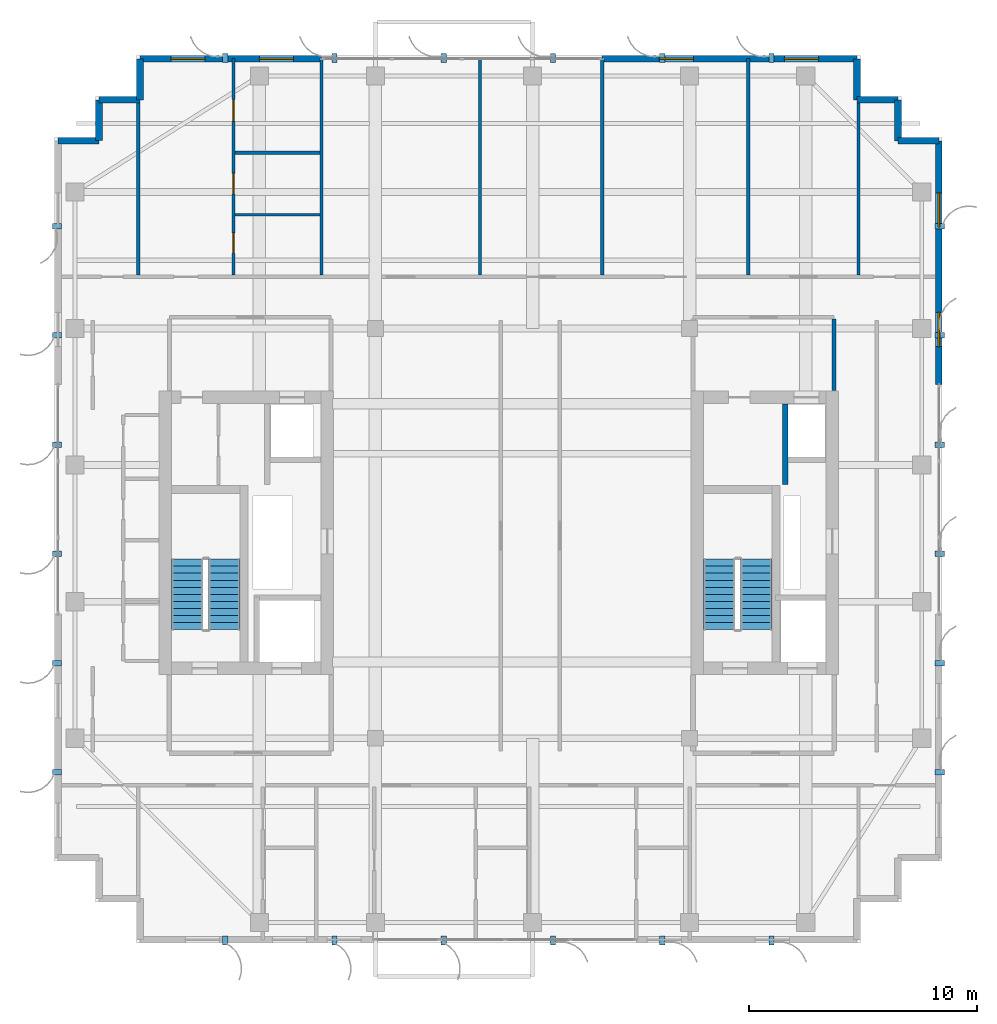
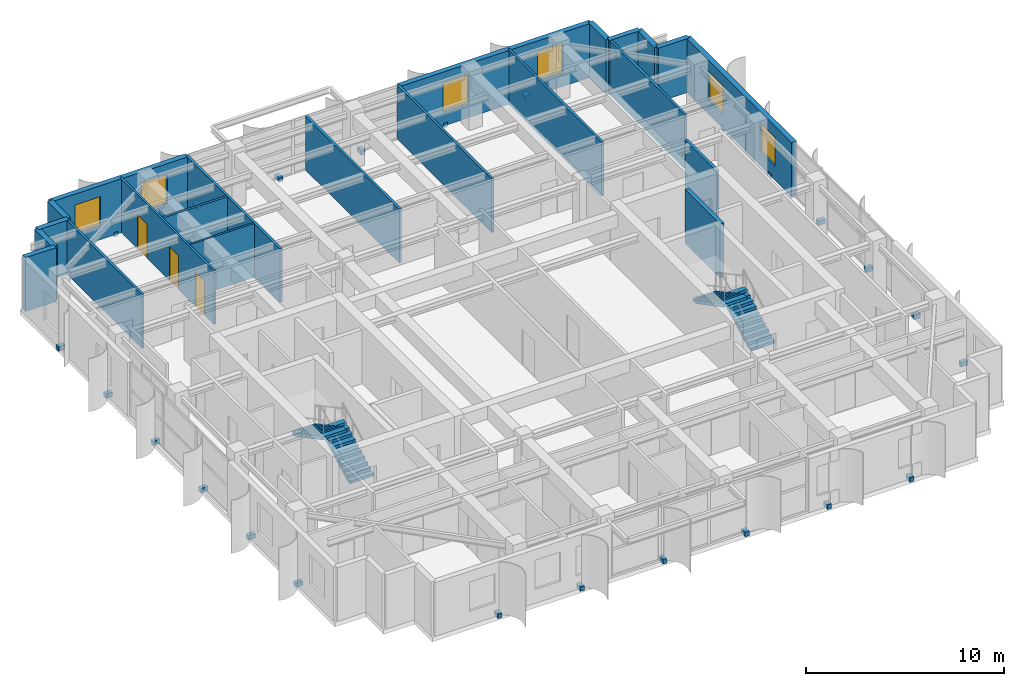
# One storey, part 21 of 23: 24 discrete accessories, 22 walls, 6 windows, 4 stair flights, 3 doors, 9 openings, 2 elements without a shape of their own.
"""IFC4 building model written with IfcOpenShell, lengths in metres."""

from ifc_helpers import new_model, si_unit, direction, frame, frame_2d, origin, origin_2d, place, context, subcontext, project, spatial, polyline, rectangle, outline, extrude, source, transform, mapped, material, layer, layer_set, type_object, element, fill, aggregate, save


model = new_model("IFC4")

# Units and contexts
model_context = context("Model", 3, precision=1e-05, world=origin(), true_north=direction((0.0, 1.0)))
body_context = subcontext(model_context, "Body", "Model", "MODEL_VIEW")
ifc_project = project(units=[si_unit("LENGTHUNIT", "METRE"), si_unit("AREAUNIT", "SQUARE_METRE"), si_unit("VOLUMEUNIT", "CUBIC_METRE"), si_unit("PLANEANGLEUNIT", "RADIAN"), si_unit("MASSUNIT", "GRAM", prefix="KILO")], contexts=[model_context])

# Site, building, storey
site_placement = place(None, origin())
site = spatial("IfcSite", under=ifc_project, at=site_placement, CompositionType="ELEMENT")
building_placement = place(site_placement, origin())
building = spatial("IfcBuilding", under=site, at=building_placement, Name="Khoralis Quay Care Tower", CompositionType="ELEMENT")
storey_placement = place(building_placement, frame((0.0, 0.0, 270.89990234375)))
storey = spatial("IfcBuildingStorey", under=building, at=storey_placement, Name="L71", CompositionType="ELEMENT", Elevation=270.89990234375)

# Wall
ifc_material_1 = material(Name="Gypsum plasterboard on acoustic metal stud")
ifc_layer_1 = layer(ifc_material_1, 0.1650390625)
ifc_layer_set_1 = layer_set([ifc_layer_1], Name="Gypsum plasterboard on acoustic metal stud")
wall_type_1 = type_object("IfcWallType", Name="WL-CORR-165", PredefinedType="PARTITIONING", material=ifc_layer_set_1)
wall_1_placement = place(storey_placement, frame((37.25, 27.27001953125, 0.0), z_axis=(0.0, 0.0, 1.0), x_axis=(0.0, 1.0, 0.0)))
element("IfcWall", 1, at=wall_1_placement, inside=storey, type_object=wall_type_1, Name="L71 East Lift Lobby East Wall", PredefinedType="PARTITIONING", context=body_context, shape_type="SweptSolid", body=[
    extrude(rectangle(XDim=3.152587890625, YDim=0.1650390625, at=frame_2d((1.576171875, 0.0))), origin(), (0.0, 0.0, 1.0), 3.320068359375),
])

# Wall, openings, windows
ifc_material_2 = material(Name="Precast concrete C45/55", Category="concrete")
ifc_layer_2 = layer(ifc_material_2, 0.300048828125)
ifc_layer_set_2 = layer_set([ifc_layer_2], Name="Precast concrete C45/55")
wall_type_2 = type_object("IfcWallType", Name="WL-EXT-REF-300", PredefinedType="SOLIDWALL", material=ifc_layer_set_2)
wall_2_placement = place(storey_placement, frame((41.85009765625, 27.5400390625, 0.0), z_axis=(0.0, 0.0, 1.0), x_axis=(0.0, 1.0, 0.0)))
wall_2 = element("IfcWall", 2, at=wall_2_placement, inside=storey, type_object=wall_type_2, Name="L71 External Facade Wall WL-EXT-L71-P1-E5B", PredefinedType="SOLIDWALL", context=body_context, shape_type="SweptSolid", body=[
    extrude(rectangle(XDim=10.7099609375, YDim=0.300048828125, at=frame_2d((5.35498046875, 0.0))), origin(), (0.0, 0.0, 1.0), 3.320068359375),
])
opening_1_placement = place(wall_2_placement, frame((1.669921875, 0.0, 0.85009765625)))
opening_1 = element("IfcOpeningElement", 3, at=opening_1_placement, cuts=wall_2, Name="Opening W3", PredefinedType="OPENING", context=body_context, shape_type="SweptSolid", body=[
    extrude(rectangle(XDim=1.5, YDim=1.800048828125, at=frame_2d((0.75, 0.89990234375))), frame((0.0, 0.16015625, 0.0), z_axis=(0.0, -1.0, 0.0), x_axis=(1.0, 0.0, 0.0)), (0.0, 0.0, 1.0), 0.320068359375),
])
opening_2_placement = place(wall_2_placement, frame((6.925048828125, 0.0, 0.85009765625)))
opening_2 = element("IfcOpeningElement", 4, at=opening_2_placement, cuts=wall_2, Name="Opening W3", PredefinedType="OPENING", context=body_context, shape_type="SweptSolid", body=[
    extrude(rectangle(XDim=1.5, YDim=1.800048828125, at=frame_2d((0.75, 0.89990234375))), frame((0.0, 0.16015625, 0.0), z_axis=(0.0, -1.0, 0.0), x_axis=(1.0, 0.0, 0.0)), (0.0, 0.0, 1.0), 0.320068359375),
])
ifc_material_3 = material(Name="Low-E solar-control double glazing", Category="glass")
window_type = type_object("IfcWindowType", Name="WN-CLIN-1500X1800", PartitioningType="SINGLE_PANEL", PredefinedType="WINDOW", material=ifc_material_3)
shared_shape_1 = source(origin(), body_context, "Body", "SweptSolid", [
    extrude(rectangle(XDim=1.5, YDim=1.800048828125, at=frame_2d((0.75, 0.89990234375))), frame((0.0, 0.030029296875, 0.0), z_axis=(0.0, -1.0, 0.0), x_axis=(1.0, 0.0, 0.0)), (0.0, 0.0, 1.0), 0.06005859375),
])
window_1_placement = place(opening_1_placement, origin())
window_1 = element("IfcWindow", 5, at=window_1_placement, inside=storey, type_object=window_type, Name="WN-L71-P1-E5B Facade Window 01", OverallHeight=1.800048828125, OverallWidth=1.5, PartitioningType="SINGLE_PANEL", PredefinedType="WINDOW", context=body_context, shape_type="MappedRepresentation", body=[
    mapped(shared_shape_1, transform((0.0, 0.0, 0.0), scale=1.0)),
])
fill(opening_1, window_1)
window_2_placement = place(opening_2_placement, origin())
window_2 = element("IfcWindow", 6, at=window_2_placement, inside=storey, type_object=window_type, Name="WN-L71-P1-E5B Facade Window 02", OverallHeight=1.800048828125, OverallWidth=1.5, PartitioningType="SINGLE_PANEL", PredefinedType="WINDOW", context=body_context, shape_type="MappedRepresentation", body=[
    mapped(shared_shape_1, transform((0.0, 0.0, 0.0), scale=1.0)),
])
fill(opening_2, window_2)

# Walls
for number, where, z_axis, x_axis, name in (
    (7, (41.85009765625, 38.25, 0.0), (0.0, 0.0, 1.0), (-1.0, 0.0, 0.0), "L71 External Facade Wall WL-EXT-L71-P1-C6"),
    (8, (40.050048828125, 38.25, 0.0), (0.0, 0.0, 1.0), (0.0, 1.0, 0.0), "L71 External Facade Wall WL-EXT-L71-P1-C7"),
    (9, (40.050048828125, 40.050048828125, 0.0), (0.0, 0.0, 1.0), (-1.0, 0.0, 0.0), "L71 External Facade Wall WL-EXT-L71-P1-C8"),
    (10, (38.25, 40.050048828125, 0.0), (0.0, 0.0, 1.0), (0.0, 1.0, 0.0), "L71 External Facade Wall WL-EXT-L71-P1-C9"),
):
    element("IfcWall", number, at=place(storey_placement, frame(where, z_axis=z_axis, x_axis=x_axis)), inside=storey, type_object=wall_type_2, Name=name, PredefinedType="SOLIDWALL", context=body_context, shape_type="SweptSolid", body=[
        extrude(rectangle(XDim=1.800048828125, YDim=0.300048828125, at=frame_2d((0.89990234375, 0.0))), origin(), (0.0, 0.0, 1.0), 3.320068359375),
    ])

# Wall, openings, windows
wall_3_placement = place(storey_placement, frame((38.25, 41.85009765625, 0.0), z_axis=(0.0, 0.0, 1.0), x_axis=(-1.0, 0.0, 0.0)))
wall_3 = element("IfcWall", 11, at=wall_3_placement, inside=storey, type_object=wall_type_2, Name="L71 External Facade Wall WL-EXT-L71-P1-E10A", PredefinedType="SOLIDWALL", context=body_context, shape_type="SweptSolid", body=[
    extrude(rectangle(XDim=11.18994140625, YDim=0.300048828125, at=frame_2d((5.594970703125, 0.0))), origin(), (0.0, 0.0, 1.0), 3.320068359375),
])
opening_3_placement = place(wall_3_placement, frame((1.68505859375, 0.0, 0.85009765625)))
opening_3 = element("IfcOpeningElement", 12, at=opening_3_placement, cuts=wall_3, Name="Opening W3", PredefinedType="OPENING", context=body_context, shape_type="SweptSolid", body=[
    extrude(rectangle(XDim=1.5, YDim=1.800048828125, at=frame_2d((0.75, 0.89990234375))), frame((0.0, 0.16015625, 0.0), z_axis=(0.0, -1.0, 0.0), x_axis=(1.0, 0.0, 0.0)), (0.0, 0.0, 1.0), 0.320068359375),
])
opening_4_placement = place(wall_3_placement, frame((7.179931640625, 0.0, 0.85009765625)))
opening_4 = element("IfcOpeningElement", 13, at=opening_4_placement, cuts=wall_3, Name="Opening W3", PredefinedType="OPENING", context=body_context, shape_type="SweptSolid", body=[
    extrude(rectangle(XDim=1.5, YDim=1.800048828125, at=frame_2d((0.75, 0.89990234375))), frame((0.0, 0.16015625, 0.0), z_axis=(0.0, -1.0, 0.0), x_axis=(1.0, 0.0, 0.0)), (0.0, 0.0, 1.0), 0.320068359375),
])
window_3_placement = place(opening_3_placement, origin())
window_3 = element("IfcWindow", 14, at=window_3_placement, inside=storey, type_object=window_type, Name="WN-L71-P1-E10A Facade Window 01", OverallHeight=1.800048828125, OverallWidth=1.5, PartitioningType="SINGLE_PANEL", PredefinedType="WINDOW", context=body_context, shape_type="MappedRepresentation", body=[
    mapped(shared_shape_1, transform((0.0, 0.0, 0.0), scale=1.0)),
])
fill(opening_3, window_3)
window_4_placement = place(opening_4_placement, origin())
window_4 = element("IfcWindow", 15, at=window_4_placement, inside=storey, type_object=window_type, Name="WN-L71-P1-E10A Facade Window 02", OverallHeight=1.800048828125, OverallWidth=1.5, PartitioningType="SINGLE_PANEL", PredefinedType="WINDOW", context=body_context, shape_type="MappedRepresentation", body=[
    mapped(shared_shape_1, transform((0.0, 0.0, 0.0), scale=1.0)),
])
fill(opening_4, window_4)

wall_4_placement = place(storey_placement, frame((14.72998046875, 41.85009765625, 0.0), z_axis=(0.0, 0.0, 1.0), x_axis=(-1.0, 0.0, 0.0)))
wall_4 = element("IfcWall", 16, at=wall_4_placement, inside=storey, type_object=wall_type_2, Name="L71 External Facade Wall WL-EXT-L71-P1-E10B", PredefinedType="SOLIDWALL", context=body_context, shape_type="SweptSolid", body=[
    extrude(rectangle(XDim=7.97998046875, YDim=0.300048828125, at=frame_2d((3.989990234375, 0.0))), origin(), (0.0, 0.0, 1.0), 3.320068359375),
])
opening_5_placement = place(wall_4_placement, frame((1.23193359375, 0.0, 0.85009765625)))
opening_5 = element("IfcOpeningElement", 17, at=opening_5_placement, cuts=wall_4, Name="Opening W3", PredefinedType="OPENING", context=body_context, shape_type="SweptSolid", body=[
    extrude(rectangle(XDim=1.5, YDim=1.800048828125, at=frame_2d((0.75, 0.89990234375))), frame((0.0, 0.16015625, 0.0), z_axis=(0.0, -1.0, 0.0), x_axis=(1.0, 0.0, 0.0)), (0.0, 0.0, 1.0), 0.320068359375),
])
opening_6_placement = place(wall_4_placement, frame((5.1220703125, 0.0, 0.85009765625)))
opening_6 = element("IfcOpeningElement", 18, at=opening_6_placement, cuts=wall_4, Name="Opening W3", PredefinedType="OPENING", context=body_context, shape_type="SweptSolid", body=[
    extrude(rectangle(XDim=1.5, YDim=1.800048828125, at=frame_2d((0.75, 0.89990234375))), frame((0.0, 0.16015625, 0.0), z_axis=(0.0, -1.0, 0.0), x_axis=(1.0, 0.0, 0.0)), (0.0, 0.0, 1.0), 0.320068359375),
])
window_5_placement = place(opening_5_placement, origin())
window_5 = element("IfcWindow", 19, at=window_5_placement, inside=storey, type_object=window_type, Name="WN-L71-P1-E10B Facade Window 01", OverallHeight=1.800048828125, OverallWidth=1.5, PartitioningType="SINGLE_PANEL", PredefinedType="WINDOW", context=body_context, shape_type="MappedRepresentation", body=[
    mapped(shared_shape_1, transform((0.0, 0.0, 0.0), scale=1.0)),
])
fill(opening_5, window_5)
window_6_placement = place(opening_6_placement, origin())
window_6 = element("IfcWindow", 20, at=window_6_placement, inside=storey, type_object=window_type, Name="WN-L71-P1-E10B Facade Window 02", OverallHeight=1.800048828125, OverallWidth=1.5, PartitioningType="SINGLE_PANEL", PredefinedType="WINDOW", context=body_context, shape_type="MappedRepresentation", body=[
    mapped(shared_shape_1, transform((0.0, 0.0, 0.0), scale=1.0)),
])
fill(opening_6, window_6)

# Walls
for number, where, z_axis, x_axis, name in (
    (21, (6.75, 41.85009765625, 0.0), (0.0, 0.0, 1.0), (0.0, -1.0, 0.0), "L71 External Facade Wall WL-EXT-L71-P1-C11"),
    (22, (6.75, 40.050048828125, 0.0), (0.0, 0.0, 1.0), (-1.0, 0.0, 0.0), "L71 External Facade Wall WL-EXT-L71-P1-C12"),
    (23, (4.949951171875, 40.050048828125, 0.0), (0.0, 0.0, 1.0), (0.0, -1.0, 0.0), "L71 External Facade Wall WL-EXT-L71-P1-C13"),
    (24, (4.949951171875, 38.25, 0.0), (0.0, 0.0, 1.0), (-1.0, 0.0, 0.0), "L71 External Facade Wall WL-EXT-L71-P1-C14"),
):
    element("IfcWall", number, at=place(storey_placement, frame(where, z_axis=z_axis, x_axis=x_axis)), inside=storey, type_object=wall_type_2, Name=name, PredefinedType="SOLIDWALL", context=body_context, shape_type="SweptSolid", body=[
        extrude(rectangle(XDim=1.800048828125, YDim=0.300048828125, at=frame_2d((0.89990234375, 0.0))), origin(), (0.0, 0.0, 1.0), 3.320068359375),
    ])

# Wall, openings, doors
ifc_layer_3 = layer(ifc_material_1, 0.114990234375)
ifc_layer_set_3 = layer_set([ifc_layer_3], Name="Gypsum plasterboard on acoustic metal stud")
wall_type_3 = type_object("IfcWallType", Name="WL-PART-115", PredefinedType="PARTITIONING", material=ifc_layer_set_3)
wall_5_placement = place(storey_placement, frame((10.865966796875, 32.357421875, 0.0), z_axis=(0.0, 0.0, 1.0), x_axis=(0.0, 1.0, 0.0)))
wall_5 = element("IfcWall", 25, at=wall_5_placement, inside=storey, type_object=wall_type_3, Name="L71 Unit 0 Internal Wall", PredefinedType="PARTITIONING", context=body_context, shape_type="SweptSolid", body=[
    extrude(rectangle(XDim=9.49755859375, YDim=0.114990234375, at=frame_2d((4.748779296875, 0.0))), origin(), (0.0, 0.0, 1.0), 3.320068359375),
])
opening_7_placement = place(wall_5_placement, frame((6.75390625, 0.0, 0.0)))
opening_7 = element("IfcOpeningElement", 26, at=opening_7_placement, cuts=wall_5, Name="Opening ID1", PredefinedType="OPENING", context=body_context, shape_type="SweptSolid", body=[
    extrude(rectangle(XDim=0.949951171875, YDim=2.10009765625, at=frame_2d((0.47509765625, 1.050048828125))), frame((0.0, 0.0673828125, 0.0), z_axis=(0.0, -1.0, 0.0), x_axis=(1.0, 0.0, 0.0)), (0.0, 0.0, 1.0), 0.135009765625),
])
opening_8_placement = place(wall_5_placement, frame((3.554931640625, 0.0, 0.0)))
opening_8 = element("IfcOpeningElement", 27, at=opening_8_placement, cuts=wall_5, Name="Opening WD1", PredefinedType="OPENING", context=body_context, shape_type="SweptSolid", body=[
    extrude(rectangle(XDim=0.89990234375, YDim=2.10009765625, at=frame_2d((0.449951171875, 1.050048828125))), frame((0.0, 0.0673828125, 0.0), z_axis=(0.0, -1.0, 0.0), x_axis=(1.0, 0.0, 0.0)), (0.0, 0.0, 1.0), 0.135009765625),
])
opening_9_placement = place(wall_5_placement, frame((0.948486328125, 0.0, 0.0)))
opening_9 = element("IfcOpeningElement", 28, at=opening_9_placement, cuts=wall_5, Name="Opening WD1", PredefinedType="OPENING", context=body_context, shape_type="SweptSolid", body=[
    extrude(rectangle(XDim=0.89990234375, YDim=2.10009765625, at=frame_2d((0.449951171875, 1.050048828125))), frame((0.0, 0.0673828125, 0.0), z_axis=(0.0, -1.0, 0.0), x_axis=(1.0, 0.0, 0.0)), (0.0, 0.0, 1.0), 0.135009765625),
])
ifc_material_4 = material(Name="Acoustic hardwood timber", Category="wood")
door_type_1 = type_object("IfcDoorType", Name="DR-BATH-900X2100", OperationType="NOTDEFINED", PredefinedType="DOOR", material=ifc_material_4)
shared_shape_2 = source(origin(), body_context, "Body", "SweptSolid", [
    extrude(rectangle(XDim=0.89990234375, YDim=2.10009765625, at=frame_2d((0.449951171875, 1.050048828125))), frame((0.0, 0.02490234375, 0.0), z_axis=(0.0, -1.0, 0.0), x_axis=(1.0, 0.0, 0.0)), (0.0, 0.0, 1.0), 0.050048828125),
])
door_1_placement = place(opening_8_placement, frame((0.89990234375, 0.0, 0.0), z_axis=(0.0, 0.0, 1.0), x_axis=(-1.0, 0.0, 0.0)))
door_1 = element("IfcDoor", 29, at=door_1_placement, inside=storey, type_object=door_type_1, Name="L71 Apartment NB0 KIT Door", OperationType="SINGLE_SWING_LEFT", OverallHeight=2.10009765625, OverallWidth=0.89990234375, PredefinedType="DOOR", context=body_context, shape_type="MappedRepresentation", body=[
    mapped(shared_shape_2, transform((0.0, 0.0, 0.0), scale=1.0)),
])
fill(opening_8, door_1)
door_2_placement = place(opening_9_placement, frame((0.89990234375, 0.0, 0.0), z_axis=(0.0, 0.0, 1.0), x_axis=(-1.0, 0.0, 0.0)))
door_2 = element("IfcDoor", 30, at=door_2_placement, inside=storey, type_object=door_type_1, Name="L71 Apartment NB0 BTH Door", OperationType="SINGLE_SWING_RIGHT", OverallHeight=2.10009765625, OverallWidth=0.89990234375, PredefinedType="DOOR", context=body_context, shape_type="MappedRepresentation", body=[
    mapped(shared_shape_2, transform((0.0, 0.0, 0.0), scale=1.0)),
])
fill(opening_9, door_2)
door_type_2 = type_object("IfcDoorType", Name="DR-ROOM-950X2100", OperationType="NOTDEFINED", PredefinedType="DOOR", material=ifc_material_4)
shared_shape_3 = source(origin(), body_context, "Body", "SweptSolid", [
    extrude(rectangle(XDim=0.949951171875, YDim=2.10009765625, at=frame_2d((0.47509765625, 1.050048828125))), frame((0.0, 0.02490234375, 0.0), z_axis=(0.0, -1.0, 0.0), x_axis=(1.0, 0.0, 0.0)), (0.0, 0.0, 1.0), 0.050048828125),
])
door_3_placement = place(opening_7_placement, frame((0.949951171875, 0.0, 0.0), z_axis=(0.0, 0.0, 1.0), x_axis=(-1.0, 0.0, 0.0)))
door_3 = element("IfcDoor", 31, at=door_3_placement, inside=storey, type_object=door_type_2, Name="L71 Apartment NB0 BED Door", OperationType="SINGLE_SWING_RIGHT", OverallHeight=2.10009765625, OverallWidth=0.949951171875, PredefinedType="DOOR", context=body_context, shape_type="MappedRepresentation", body=[
    mapped(shared_shape_3, transform((0.0, 0.0, 0.0), scale=1.0)),
])
fill(opening_7, door_3)

# Walls
wall_6_placement = place(storey_placement, frame((10.91845703125, 35.001953125, 0.0), z_axis=(0.0, 0.0, 1.0), x_axis=(1.0, 0.0, 0.0)))
element("IfcWall", 32, at=wall_6_placement, inside=storey, type_object=wall_type_3, Name="L71 Unit 0 Kitchen Wall", PredefinedType="PARTITIONING", context=body_context, shape_type="SweptSolid", body=[
    extrude(rectangle(XDim=3.74658203125, YDim=0.114990234375, at=frame_2d((1.873291015625, 0.0))), origin(), (0.0, 0.0, 1.0), 3.320068359375),
])
ifc_material_5 = material(Name="Moisture-resistant gypsum and ceramic tile")
ifc_layer_4 = layer(ifc_material_5, 0.280029296875)
ifc_layer_set_4 = layer_set([ifc_layer_4], Name="Moisture-resistant gypsum and ceramic tile")
wall_type_4 = type_object("IfcWallType", Name="WL-PLUMB-280", PredefinedType="PLUMBINGWALL", material=ifc_layer_set_4)
wall_7_placement = place(storey_placement, frame((10.91845703125, 37.722900390625, 0.0), z_axis=(0.0, 0.0, 1.0), x_axis=(1.0, 0.0, 0.0)))
element("IfcWall", 33, at=wall_7_placement, inside=storey, type_object=wall_type_4, Name="L71 Unit 0 Wet Wall", PredefinedType="PLUMBINGWALL", context=body_context, shape_type="SweptSolid", body=[
    extrude(rectangle(XDim=3.74658203125, YDim=0.139892578125, at=frame_2d((1.873291015625, 0.0))), origin(), (0.0, 0.0, 1.0), 3.320068359375),
])
ifc_layer_5 = layer(ifc_material_1, 0.239990234375)
ifc_layer_set_5 = layer_set([ifc_layer_5], Name="Gypsum plasterboard on acoustic metal stud")
wall_type_5 = type_object("IfcWallType", Name="WL-SHAFT-240", PredefinedType="PARTITIONING", material=ifc_layer_set_5)
wall_8_placement = place(storey_placement, frame((35.110107421875, 23.139892578125, 0.0), z_axis=(0.0, 0.0, 1.0), x_axis=(0.0, 1.0, 0.0)))
element("IfcWall", 34, at=wall_8_placement, inside=storey, type_object=wall_type_5, Name="L71 High-Rise Reclaimed Bay Wall East", PredefinedType="PARTITIONING", context=body_context, shape_type="SweptSolid", body=[
    extrude(rectangle(XDim=3.5400390625, YDim=0.239990234375, at=frame_2d((1.77001953125, 0.0))), origin(), (0.0, 0.0, 1.0), 3.320068359375),
])
ifc_layer_6 = layer(ifc_material_1, 0.139892578125)
ifc_layer_set_6 = layer_set([ifc_layer_6], Name="Gypsum plasterboard on acoustic metal stud")
wall_type_6 = type_object("IfcWallType", Name="WL-UNIT-140", PredefinedType="PARTITIONING", material=ifc_layer_set_6)
wall_9_placement = place(storey_placement, frame((6.679931640625, 32.357421875, 0.0), z_axis=(0.0, 0.0, 1.0), x_axis=(0.0, 1.0, 0.0)))
element("IfcWall", 35, at=wall_9_placement, inside=storey, type_object=wall_type_6, Name="L71 NB Demising Wall 0", PredefinedType="PARTITIONING", context=body_context, shape_type="SweptSolid", body=[
    extrude(rectangle(XDim=7.697509765625, YDim=0.139892578125, at=frame_2d((3.8486328125, 0.0))), origin(), (0.0, 0.0, 1.0), 3.320068359375),
])
for number, where, z_axis, x_axis, name in (
    (36, (14.72998046875, 32.357421875, 0.0), (0.0, 0.0, 1.0), (0.0, 1.0, 0.0), "L71 NB Demising Wall 1"),
    (37, (21.68994140625, 32.357421875, 0.0), (0.0, 0.0, 1.0), (0.0, 1.0, 0.0), "L71 NB Demising Wall 2"),
    (38, (27.06005859375, 32.357421875, 0.0), (0.0, 0.0, 1.0), (0.0, 1.0, 0.0), "L71 NB Demising Wall 3"),
    (39, (33.47998046875, 32.357421875, 0.0), (0.0, 0.0, 1.0), (0.0, 1.0, 0.0), "L71 NB Demising Wall 4"),
):
    element("IfcWall", number, at=place(storey_placement, frame(where, z_axis=z_axis, x_axis=x_axis)), inside=storey, type_object=wall_type_6, Name=name, PredefinedType="PARTITIONING", context=body_context, shape_type="SweptSolid", body=[
        extrude(rectangle(XDim=9.49755859375, YDim=0.139892578125, at=frame_2d((4.748779296875, 0.0))), origin(), (0.0, 0.0, 1.0), 3.320068359375),
    ])
wall_10_placement = place(storey_placement, frame((38.320068359375, 32.357421875, 0.0), z_axis=(0.0, 0.0, 1.0), x_axis=(0.0, 1.0, 0.0)))
element("IfcWall", 40, at=wall_10_placement, inside=storey, type_object=wall_type_6, Name="L71 NB Demising Wall 5", PredefinedType="PARTITIONING", context=body_context, shape_type="SweptSolid", body=[
    extrude(rectangle(XDim=7.697509765625, YDim=0.139892578125, at=frame_2d((3.8486328125, 0.0))), origin(), (0.0, 0.0, 1.0), 3.320068359375),
])

# Stair, stair flights
stair_type = type_object("IfcStairType", Name="ST-TWR-DOGLEG-1400", PredefinedType="HALF_TURN_STAIR", material=ifc_material_2)
stair_1_placement = place(storey_placement, origin())
stair_1 = element("IfcStair", 41, at=stair_1_placement, inside=storey, type_object=stair_type, Name="L71 West Core Exit Stair ST-T1", PredefinedType="HALF_TURN_STAIR")
stair_flight_type = type_object("IfcStairFlightType", Name="SF-TWR-1400", PredefinedType="STRAIGHT", material=ifc_material_2)
shared_shape_4 = source(origin(), body_context, "Body", "SweptSolid", [
    extrude(outline(polyline([(0.0, 0.0), (0.0, 0.16357421875), (0.31005859375, 0.16357421875), (0.31005859375, 0.327392578125), (0.6201171875, 0.327392578125), (0.6201171875, 0.490966796875), (0.929931640625, 0.490966796875), (0.929931640625, 0.654541015625), (1.239990234375, 0.654541015625), (1.239990234375, 0.818115234375), (1.550048828125, 0.818115234375), (1.550048828125, 0.98193359375), (1.860107421875, 0.98193359375), (1.860107421875, 1.1455078125), (2.169921875, 1.1455078125), (2.169921875, 1.30908203125), (2.47998046875, 1.30908203125), (2.47998046875, 1.47265625), (2.7900390625, 1.47265625), (2.7900390625, 1.636474609375), (3.10009765625, 1.636474609375), (3.10009765625, 1.800048828125), (3.10009765625, 1.466796875), (0.321044921875, 0.0), (0.0, 0.0)])), frame((0.0, 0.68994140625, 0.0), z_axis=(0.0, -1.0, 0.0), x_axis=(1.0, 0.0, 0.0)), (0.0, 0.0, 1.0), 1.3798828125),
])
stair_flight_1_placement = place(storey_placement, frame((10.4599609375, 16.77001953125, 0.0), z_axis=(0.0, 0.0, 1.0), x_axis=(0.0, 1.0, 0.0)))
stair_flight_1 = element("IfcStairFlight", 42, at=stair_flight_1_placement, type_object=stair_flight_type, Name="ST-T1 flight 1", NumberOfRisers=11, NumberOfTreads=10, PredefinedType="STRAIGHT", RiserHeight=0.163636364, TreadLength=0.31, context=body_context, shape_type="MappedRepresentation", body=[
    mapped(shared_shape_4, transform((0.0, 0.0, 0.0), scale=1.0)),
])
stair_flight_2_placement = place(storey_placement, frame((8.840087890625, 19.8701171875, 1.800048828125), z_axis=(0.0, 0.0, 1.0), x_axis=(0.0, -1.0, 0.0)))
stair_flight_2 = element("IfcStairFlight", 43, at=stair_flight_2_placement, type_object=stair_flight_type, Name="ST-T1 flight 2", NumberOfRisers=11, NumberOfTreads=10, PredefinedType="STRAIGHT", RiserHeight=0.163636364, TreadLength=0.31, context=body_context, shape_type="MappedRepresentation", body=[
    mapped(shared_shape_4, transform((0.0, 0.0, 0.0), scale=1.0)),
])
aggregate(stair_1, [stair_flight_1, stair_flight_2])

stair_2_placement = place(storey_placement, origin())
stair_2 = element("IfcStair", 44, at=stair_2_placement, inside=storey, type_object=stair_type, Name="L71 East Core Exit Stair ST-T2", PredefinedType="HALF_TURN_STAIR")
stair_flight_3_placement = place(storey_placement, frame((33.830078125, 16.77001953125, 0.0), z_axis=(0.0, 0.0, 1.0), x_axis=(0.0, 1.0, 0.0)))
stair_flight_3 = element("IfcStairFlight", 45, at=stair_flight_3_placement, type_object=stair_flight_type, Name="ST-T2 flight 1", NumberOfRisers=11, NumberOfTreads=10, PredefinedType="STRAIGHT", RiserHeight=0.163636364, TreadLength=0.31, context=body_context, shape_type="MappedRepresentation", body=[
    mapped(shared_shape_4, transform((0.0, 0.0, 0.0), scale=1.0)),
])
stair_flight_4_placement = place(storey_placement, frame((32.2099609375, 19.8701171875, 1.800048828125), z_axis=(0.0, 0.0, 1.0), x_axis=(0.0, -1.0, 0.0)))
stair_flight_4 = element("IfcStairFlight", 46, at=stair_flight_4_placement, type_object=stair_flight_type, Name="ST-T2 flight 2", NumberOfRisers=11, NumberOfTreads=10, PredefinedType="STRAIGHT", RiserHeight=0.163636364, TreadLength=0.31, context=body_context, shape_type="MappedRepresentation", body=[
    mapped(shared_shape_4, transform((0.0, 0.0, 0.0), scale=1.0)),
])
aggregate(stair_2, [stair_flight_3, stair_flight_4])

# Discrete accessories
ifc_material_6 = material(Name="Brushed stainless steel", Category="steel")
discrete_accessory_type = type_object("IfcDiscreteAccessoryType", Name="ACC-FIN-BRACKET", PredefinedType="BRACKET", material=ifc_material_6)
shared_shape_5 = source(origin(), body_context, "Body", "SweptSolid", [
    extrude(rectangle(XDim=0.39990234375, YDim=0.239990234375, at=origin_2d()), origin(), (0.0, 0.0, 1.0), 0.280029296875),
])
for number, where, z_axis, x_axis, name in (
    (47, (10.5, 3.110107421875, -0.1201171875), (0.0, 0.0, 1.0), (0.0, -1.0, 0.0), "L71 Solar Fin Bracket P1E0-01"),
    (48, (15.300048828125, 3.110107421875, -0.1201171875), (0.0, 0.0, 1.0), (0.0, -1.0, 0.0), "L71 Solar Fin Bracket P1E0-02"),
    (49, (20.10009765625, 3.110107421875, -0.1201171875), (0.0, 0.0, 1.0), (0.0, -1.0, 0.0), "L71 Solar Fin Bracket P1E0-03"),
    (50, (24.89990234375, 3.110107421875, -0.1201171875), (0.0, 0.0, 1.0), (0.0, -1.0, 0.0), "L71 Solar Fin Bracket P1E0-04"),
    (51, (29.699951171875, 3.110107421875, -0.1201171875), (0.0, 0.0, 1.0), (0.0, -1.0, 0.0), "L71 Solar Fin Bracket P1E0-05"),
    (52, (34.5, 3.110107421875, -0.1201171875), (0.0, 0.0, 1.0), (0.0, -1.0, 0.0), "L71 Solar Fin Bracket P1E0-06"),
    (53, (41.889892578125, 10.5, -0.1201171875), (0.0, 0.0, 1.0), (1.0, 0.0, 0.0), "L71 Solar Fin Bracket P1E5-01"),
    (54, (41.889892578125, 15.300048828125, -0.1201171875), (0.0, 0.0, 1.0), (1.0, 0.0, 0.0), "L71 Solar Fin Bracket P1E5-02"),
    (55, (41.889892578125, 20.10009765625, -0.1201171875), (0.0, 0.0, 1.0), (1.0, 0.0, 0.0), "L71 Solar Fin Bracket P1E5-03"),
    (56, (41.889892578125, 24.89990234375, -0.1201171875), (0.0, 0.0, 1.0), (1.0, 0.0, 0.0), "L71 Solar Fin Bracket P1E5-04"),
    (57, (41.889892578125, 29.699951171875, -0.1201171875), (0.0, 0.0, 1.0), (1.0, 0.0, 0.0), "L71 Solar Fin Bracket P1E5-05"),
    (58, (41.889892578125, 34.5, -0.1201171875), (0.0, 0.0, 1.0), (1.0, 0.0, 0.0), "L71 Solar Fin Bracket P1E5-06"),
    (59, (34.5, 41.889892578125, -0.1201171875), (0.0, 0.0, 1.0), (0.0, 1.0, 0.0), "L71 Solar Fin Bracket P1E10-01"),
    (60, (29.699951171875, 41.889892578125, -0.1201171875), (0.0, 0.0, 1.0), (0.0, 1.0, 0.0), "L71 Solar Fin Bracket P1E10-02"),
    (61, (24.89990234375, 41.889892578125, -0.1201171875), (0.0, 0.0, 1.0), (0.0, 1.0, 0.0), "L71 Solar Fin Bracket P1E10-03"),
    (62, (20.10009765625, 41.889892578125, -0.1201171875), (0.0, 0.0, 1.0), (0.0, 1.0, 0.0), "L71 Solar Fin Bracket P1E10-04"),
    (63, (15.300048828125, 41.889892578125, -0.1201171875), (0.0, 0.0, 1.0), (0.0, 1.0, 0.0), "L71 Solar Fin Bracket P1E10-05"),
    (64, (10.5, 41.889892578125, -0.1201171875), (0.0, 0.0, 1.0), (0.0, 1.0, 0.0), "L71 Solar Fin Bracket P1E10-06"),
    (65, (3.110107421875, 34.5, -0.1201171875), (0.0, 0.0, 1.0), (-1.0, 0.0, 0.0), "L71 Solar Fin Bracket P1E15-01"),
    (66, (3.110107421875, 29.699951171875, -0.1201171875), (0.0, 0.0, 1.0), (-1.0, 0.0, 0.0), "L71 Solar Fin Bracket P1E15-02"),
    (67, (3.110107421875, 24.89990234375, -0.1201171875), (0.0, 0.0, 1.0), (-1.0, 0.0, 0.0), "L71 Solar Fin Bracket P1E15-03"),
    (68, (3.110107421875, 20.10009765625, -0.1201171875), (0.0, 0.0, 1.0), (-1.0, 0.0, 0.0), "L71 Solar Fin Bracket P1E15-04"),
    (69, (3.110107421875, 15.300048828125, -0.1201171875), (0.0, 0.0, 1.0), (-1.0, 0.0, 0.0), "L71 Solar Fin Bracket P1E15-05"),
    (70, (3.110107421875, 10.5, -0.1201171875), (0.0, 0.0, 1.0), (-1.0, 0.0, 0.0), "L71 Solar Fin Bracket P1E15-06"),
):
    element("IfcDiscreteAccessory", number, at=place(storey_placement, frame(where, z_axis=z_axis, x_axis=x_axis)), inside=storey, type_object=discrete_accessory_type, Name=name, PredefinedType="BRACKET", context=body_context, shape_type="MappedRepresentation", body=[
        mapped(shared_shape_5, transform((0.0, 0.0, 0.0), scale=1.0)),
    ])

save(model, "model.ifc")
